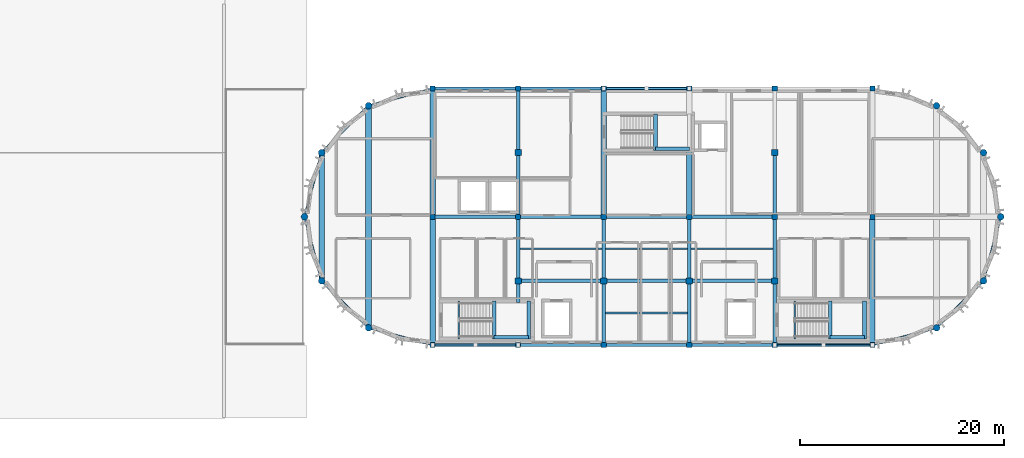
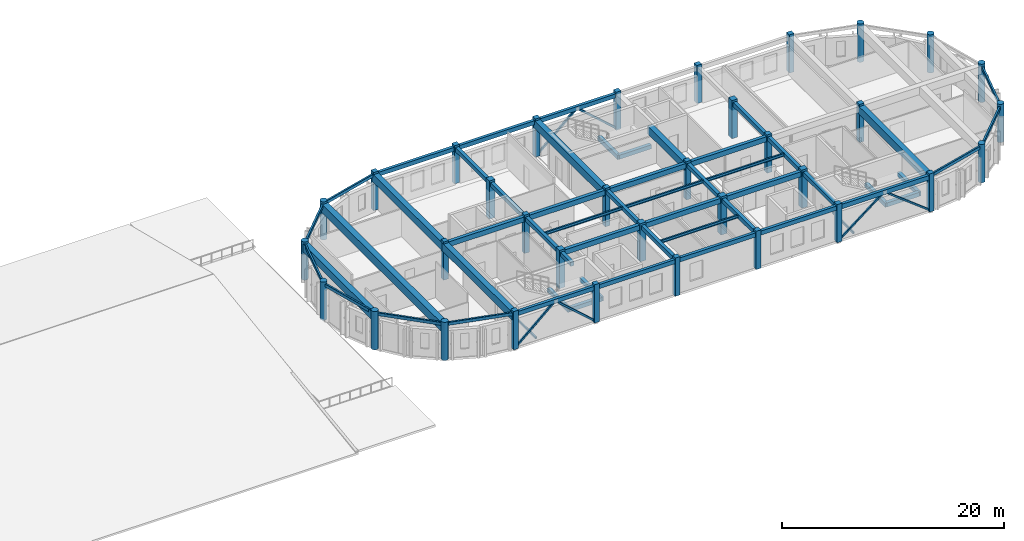
# One storey, part 1 of 12: 54 beams, 34 columns, 8 members.
"""IFC4 building model written with IfcOpenShell, lengths in metres."""

from ifc_helpers import new_model, si_unit, direction, frame, origin, origin_2d, place, context, subcontext, project, spatial, rectangle, hollow_rectangle, circle, i_section, extrude, material, material_profile, profile_set, type_object, element, save


model = new_model("IFC4")

# Units and contexts
model_context = context("Model", 3, precision=1e-05, world=origin(), true_north=direction((0.0, 1.0)))
body_context = subcontext(model_context, "Body", "Model", "MODEL_VIEW")
ifc_project = project(units=[si_unit("LENGTHUNIT", "METRE"), si_unit("AREAUNIT", "SQUARE_METRE"), si_unit("VOLUMEUNIT", "CUBIC_METRE"), si_unit("PLANEANGLEUNIT", "RADIAN"), si_unit("MASSUNIT", "GRAM", prefix="KILO")], contexts=[model_context])

# Site, building, storey
site_placement = place(None, origin())
site = spatial("IfcSite", under=ifc_project, at=site_placement, CompositionType="ELEMENT")
building_placement = place(site_placement, origin())
building = spatial("IfcBuilding", under=site, at=building_placement, Name="Tarnavel Promenade Courthouse", CompositionType="ELEMENT")
storey_placement = place(building_placement, frame((0.0, 0.0, 27.0)))
storey = spatial("IfcBuildingStorey", under=building, at=storey_placement, Name="L07", CompositionType="ELEMENT", Elevation=27.0)

# Columns
ifc_material_1 = material(Name="Concrete C40/50", Category="concrete")
ifc_material_profile_1 = material_profile(ifc_material_1, circle(Radius=0.324951171875, at=origin_2d()), Name="RCC D650")
ifc_profile_set_1 = profile_set([ifc_material_profile_1], Name="Concrete C40/50")
column_type_1 = type_object("IfcColumnType", Name="Concrete C40/50 COL-DRUM-D650 (RCC D650)", PredefinedType="COLUMN", material=ifc_profile_set_1)
for number, where, z_axis, x_axis, name in (
    (1, (52.5, 102.7119140625, 0.0), (0.0, 0.0, 1.0), (1.0, 0.0, 0.0), "L07 Structural Column 0236"),
    (2, (108.300048828125, 80.88818359375, 0.0), (0.0, 0.0, 1.0), (1.0, 0.0, 0.0), "L07 Structural Column 0246"),
    (3, (47.88818359375, 98.10009765625, 0.0), (0.0, 0.0, 1.0), (1.0, 0.0, 0.0), "L07 Structural Column 0256"),
    (4, (112.911865234375, 85.5, 0.0), (0.0, 0.0, 1.0), (1.0, 0.0, 0.0), "L07 Structural Column 0266"),
    (5, (46.199951171875, 91.800048828125, 0.0), (0.0, 0.0, 1.0), (1.0, 0.0, 0.0), "L07 Structural Column 0276"),
    (6, (114.60009765625, 91.800048828125, 0.0), (0.0, 0.0, 1.0), (1.0, 0.0, 0.0), "L07 Structural Column 0286"),
    (7, (47.88818359375, 85.5, 0.0), (0.0, 0.0, 1.0), (1.0, 0.0, 0.0), "L07 Structural Column 0296"),
    (8, (112.911865234375, 98.10009765625, 0.0), (0.0, 0.0, 1.0), (1.0, 0.0, 0.0), "L07 Structural Column 0306"),
    (9, (52.5, 80.88818359375, 0.0), (0.0, 0.0, 1.0), (1.0, 0.0, 0.0), "L07 Structural Column 0316"),
    (10, (108.300048828125, 102.7119140625, 0.0), (0.0, 0.0, 1.0), (1.0, 0.0, 0.0), "L07 Structural Column 0326"),
):
    element("IfcColumn", number, at=place(storey_placement, frame(where, z_axis=z_axis, x_axis=x_axis)), inside=storey, type_object=column_type_1, Name=name, PredefinedType="COLUMN", context=body_context, shape_type="SweptSolid", body=[
        extrude(circle(Radius=0.324951171875, at=origin_2d()), origin(), (0.0, 0.0, 1.0), 4.199951171875),
    ])
ifc_material_profile_2 = material_profile(ifc_material_1, rectangle(XDim=0.5, YDim=0.5, at=origin_2d()), Name="RC 500x500")
ifc_profile_set_2 = profile_set([ifc_material_profile_2], Name="Concrete C40/50")
column_type_2 = type_object("IfcColumnType", Name="Concrete C40/50 COL-RC500-TOP (RC 500x500)", PredefinedType="COLUMN", material=ifc_profile_set_2)
for number, where, z_axis, x_axis, name in (
    (11, (58.800048828125, 79.199951171875, 0.0), (0.0, 0.0, 1.0), (1.0, 0.0, 0.0), "L07 Structural Column 0008"),
    (12, (58.800048828125, 91.800048828125, 0.0), (0.0, 0.0, 1.0), (1.0, 0.0, 0.0), "L07 Structural Column 0018"),
    (13, (58.800048828125, 104.39990234375, 0.0), (0.0, 0.0, 1.0), (1.0, 0.0, 0.0), "L07 Structural Column 0028"),
    (14, (67.199951171875, 79.199951171875, 0.0), (0.0, 0.0, 1.0), (1.0, 0.0, 0.0), "L07 Structural Column 0042"),
    (15, (67.199951171875, 91.800048828125, 0.0), (0.0, 0.0, 1.0), (1.0, 0.0, 0.0), "L07 Structural Column 0052"),
    (16, (67.199951171875, 104.39990234375, 0.0), (0.0, 0.0, 1.0), (1.0, 0.0, 0.0), "L07 Structural Column 0062"),
    (17, (75.60009765625, 79.199951171875, 0.0), (0.0, 0.0, 1.0), (1.0, 0.0, 0.0), "L07 Structural Column 0084"),
    (18, (75.60009765625, 91.800048828125, 0.0), (0.0, 0.0, 1.0), (1.0, 0.0, 0.0), "L07 Structural Column 0094"),
    (19, (75.60009765625, 104.39990234375, 0.0), (0.0, 0.0, 1.0), (1.0, 0.0, 0.0), "L07 Structural Column 0104"),
    (20, (84.0, 79.199951171875, 0.0), (0.0, 0.0, 1.0), (1.0, 0.0, 0.0), "L07 Structural Column 0122"),
    (21, (84.0, 91.800048828125, 0.0), (0.0, 0.0, 1.0), (1.0, 0.0, 0.0), "L07 Structural Column 0132"),
    (22, (84.0, 104.39990234375, 0.0), (0.0, 0.0, 1.0), (1.0, 0.0, 0.0), "L07 Structural Column 0142"),
    (23, (92.39990234375, 79.199951171875, 0.0), (0.0, 0.0, 1.0), (1.0, 0.0, 0.0), "L07 Structural Column 0160"),
    (24, (92.39990234375, 91.800048828125, 0.0), (0.0, 0.0, 1.0), (1.0, 0.0, 0.0), "L07 Structural Column 0170"),
    (25, (92.39990234375, 104.39990234375, 0.0), (0.0, 0.0, 1.0), (1.0, 0.0, 0.0), "L07 Structural Column 0180"),
    (26, (102.0, 79.199951171875, 0.0), (0.0, 0.0, 1.0), (1.0, 0.0, 0.0), "L07 Structural Column 0202"),
    (27, (102.0, 91.800048828125, 0.0), (0.0, 0.0, 1.0), (1.0, 0.0, 0.0), "L07 Structural Column 0212"),
    (28, (102.0, 104.39990234375, 0.0), (0.0, 0.0, 1.0), (1.0, 0.0, 0.0), "L07 Structural Column 0222"),
):
    element("IfcColumn", number, at=place(storey_placement, frame(where, z_axis=z_axis, x_axis=x_axis)), inside=storey, type_object=column_type_2, Name=name, PredefinedType="COLUMN", context=body_context, shape_type="SweptSolid", body=[
        extrude(rectangle(XDim=0.5, YDim=0.5, at=origin_2d()), origin(), (0.0, 0.0, 1.0), 4.199951171875),
    ])
ifc_material_profile_3 = material_profile(ifc_material_1, rectangle(XDim=0.60009765625, YDim=0.60009765625, at=origin_2d()), Name="RC 600x600")
ifc_profile_set_3 = profile_set([ifc_material_profile_3], Name="Concrete C40/50")
column_type_3 = type_object("IfcColumnType", Name="Concrete C40/50 COL-RC600-UPP (RC 600x600)", PredefinedType="COLUMN", material=ifc_profile_set_3)
for number, where, z_axis, x_axis, name in (
    (29, (67.199951171875, 85.5, 0.0), (0.0, 0.0, 1.0), (1.0, 0.0, 0.0), "L07 Structural Column 0066"),
    (30, (67.199951171875, 98.10009765625, 0.0), (0.0, 0.0, 1.0), (1.0, 0.0, 0.0), "L07 Structural Column 0070"),
    (31, (75.60009765625, 85.5, 0.0), (0.0, 0.0, 1.0), (1.0, 0.0, 0.0), "L07 Structural Column 0108"),
    (32, (84.0, 85.5, 0.0), (0.0, 0.0, 1.0), (1.0, 0.0, 0.0), "L07 Structural Column 0146"),
    (33, (92.39990234375, 85.5, 0.0), (0.0, 0.0, 1.0), (1.0, 0.0, 0.0), "L07 Structural Column 0184"),
    (34, (92.39990234375, 98.10009765625, 0.0), (0.0, 0.0, 1.0), (1.0, 0.0, 0.0), "L07 Structural Column 0188"),
):
    element("IfcColumn", number, at=place(storey_placement, frame(where, z_axis=z_axis, x_axis=x_axis)), inside=storey, type_object=column_type_3, Name=name, PredefinedType="COLUMN", context=body_context, shape_type="SweptSolid", body=[
        extrude(rectangle(XDim=0.60009765625, YDim=0.60009765625, at=origin_2d()), origin(), (0.0, 0.0, 1.0), 4.199951171875),
    ])

# Beams
ifc_material_profile_4 = material_profile(ifc_material_1, rectangle(XDim=0.550048828125, YDim=0.85009765625, at=origin_2d()), Name="PT 550x850")
ifc_profile_set_4 = profile_set([ifc_material_profile_4], Name="Concrete C40/50")
beam_type_1 = type_object("IfcBeamType", Name="Concrete C40/50 BM-PT-550x850 (PT 550x850)", PredefinedType="T_BEAM", material=ifc_profile_set_4)
for number, where, z_axis, x_axis, name in (
    (35, (47.88818359375, 85.5, 3.550048828125), (0.0, 1.0, 0.0), (-1.0, 0.0, 0.0), "L07 Transverse Girder 2540"),
    (36, (58.800048828125, 79.199951171875, 3.550048828125), (0.0, 1.0, 0.0), (-1.0, 0.0, 0.0), "L07 Transverse Girder 2542"),
):
    element("IfcBeam", number, at=place(storey_placement, frame(where, z_axis=z_axis, x_axis=x_axis)), inside=storey, type_object=beam_type_1, Name=name, PredefinedType="T_BEAM", context=body_context, shape_type="SweptSolid", body=[
        extrude(rectangle(XDim=0.550048828125, YDim=0.85009765625, at=origin_2d()), origin(), (0.0, 0.0, 1.0), 12.60009765625),
    ])
for number, where, z_axis, x_axis, name in (
    (37, (58.800048828125, 91.800048828125, 3.550048828125), (0.0, 1.0, 0.0), (-1.0, 0.0, 0.0), "L07 Transverse Girder 2543"),
    (38, (75.60009765625, 91.800048828125, 3.550048828125), (0.0, 1.0, 0.0), (-1.0, 0.0, 0.0), "L07 Transverse Girder 2550"),
):
    element("IfcBeam", number, at=place(storey_placement, frame(where, z_axis=z_axis, x_axis=x_axis)), inside=storey, type_object=beam_type_1, Name=name, PredefinedType="T_BEAM", context=body_context, shape_type="SweptSolid", body=[
        extrude(rectangle(XDim=0.550048828125, YDim=0.85009765625, at=origin_2d()), origin(), (0.0, 0.0, 1.0), 12.599853515625),
    ])
beam_1_placement = place(storey_placement, frame((84.0, 91.800048828125, 3.550048828125), z_axis=(0.0, 1.0, 0.0), x_axis=(-1.0, 0.0, 0.0)))
element("IfcBeam", 39, at=beam_1_placement, inside=storey, type_object=beam_type_1, Name="L07 Transverse Girder 2553", PredefinedType="T_BEAM", context=body_context, shape_type="SweptSolid", body=[
    extrude(rectangle(XDim=0.550048828125, YDim=0.85009765625, at=origin_2d()), origin(), (0.0, 0.0, 1.0), 6.64990234375),
])
beam_2_placement = place(storey_placement, frame((102.0, 79.199951171875, 3.550048828125), z_axis=(0.0, 1.0, 0.0), x_axis=(-1.0, 0.0, 0.0)))
element("IfcBeam", 40, at=beam_2_placement, inside=storey, type_object=beam_type_1, Name="L07 Transverse Girder 2559", PredefinedType="T_BEAM", context=body_context, shape_type="SweptSolid", body=[
    extrude(rectangle(XDim=0.550048828125, YDim=0.85009765625, at=origin_2d()), origin(), (0.0, 0.0, 1.0), 12.60009765625),
])
ifc_material_profile_5 = material_profile(ifc_material_1, rectangle(XDim=0.60009765625, YDim=0.949951171875, at=origin_2d()), Name="PT 600x950")
ifc_profile_set_5 = profile_set([ifc_material_profile_5], Name="Concrete C40/50")
beam_type_2 = type_object("IfcBeamType", Name="Concrete C40/50 BM-PT-600x950 (PT 600x950)", PredefinedType="T_BEAM", material=ifc_profile_set_5)
beam_3_placement = place(storey_placement, frame((52.5, 80.88818359375, 3.5), z_axis=(0.0, 1.0, 0.0), x_axis=(-1.0, 0.0, 0.0)))
element("IfcBeam", 41, at=beam_3_placement, inside=storey, type_object=beam_type_2, Name="L07 Transverse Girder 2541", PredefinedType="T_BEAM", context=body_context, shape_type="SweptSolid", body=[
    extrude(rectangle(XDim=0.60009765625, YDim=0.949951171875, at=origin_2d()), origin(), (0.0, 0.0, 1.0), 21.82373046875),
])
ifc_material_profile_6 = material_profile(ifc_material_1, rectangle(XDim=0.35009765625, YDim=0.449951171875, at=origin_2d()), Name="RC 350x450")
ifc_profile_set_6 = profile_set([ifc_material_profile_6], Name="Concrete C40/50")
beam_type_3 = type_object("IfcBeamType", Name="Concrete C40/50 BM-RC-350x450 (RC 350x450)", PredefinedType="BEAM", material=ifc_profile_set_6)
beam_4_placement = place(storey_placement, frame((67.199951171875, 83.3701171875, 3.75), z_axis=(0.0, 1.0, 0.0), x_axis=(-1.0, 0.0, 0.0)))
element("IfcBeam", 42, at=beam_4_placement, inside=storey, type_object=beam_type_3, Name="L07 Transverse Girder 2544", PredefinedType="BEAM", context=body_context, shape_type="SweptSolid", body=[
    extrude(rectangle(XDim=0.35009765625, YDim=0.449951171875, at=origin_2d()), origin(), (0.0, 0.0, 1.0), 2.1298828125),
])
for number, where, z_axis, x_axis, name in (
    (43, (67.199951171875, 85.5, 3.75), (0.0, 1.0, 0.0), (-1.0, 0.0, 0.0), "L07 Transverse Girder 2545"),
    (44, (67.199951171875, 91.800048828125, 3.75), (0.0, 1.0, 0.0), (-1.0, 0.0, 0.0), "L07 Transverse Girder 2546"),
):
    element("IfcBeam", number, at=place(storey_placement, frame(where, z_axis=z_axis, x_axis=x_axis)), inside=storey, type_object=beam_type_3, Name=name, PredefinedType="BEAM", context=body_context, shape_type="SweptSolid", body=[
        extrude(rectangle(XDim=0.35009765625, YDim=0.449951171875, at=origin_2d()), origin(), (0.0, 0.0, 1.0), 6.300048828125),
    ])
beam_5_placement = place(storey_placement, frame((67.199951171875, 98.10009765625, 3.75), z_axis=(0.0, 1.0, 0.0), x_axis=(-1.0, 0.0, 0.0)))
element("IfcBeam", 45, at=beam_5_placement, inside=storey, type_object=beam_type_3, Name="L07 Transverse Girder 2547", PredefinedType="BEAM", context=body_context, shape_type="SweptSolid", body=[
    extrude(rectangle(XDim=0.35009765625, YDim=0.449951171875, at=origin_2d()), origin(), (0.0, 0.0, 1.0), 6.2998046875),
])
for number, where, z_axis, x_axis, name in (
    (46, (75.60009765625, 79.199951171875, 3.75), (0.0, 1.0, 0.0), (-1.0, 0.0, 0.0), "L07 Transverse Girder 2548"),
    (47, (75.60009765625, 85.5, 3.75), (0.0, 1.0, 0.0), (-1.0, 0.0, 0.0), "L07 Transverse Girder 2549"),
    (48, (84.0, 79.199951171875, 3.75), (0.0, 1.0, 0.0), (-1.0, 0.0, 0.0), "L07 Transverse Girder 2551"),
    (49, (84.0, 85.5, 3.75), (0.0, 1.0, 0.0), (-1.0, 0.0, 0.0), "L07 Transverse Girder 2552"),
    (50, (92.39990234375, 79.199951171875, 3.75), (0.0, 1.0, 0.0), (-1.0, 0.0, 0.0), "L07 Transverse Girder 2555"),
    (51, (92.39990234375, 85.5, 3.75), (0.0, 1.0, 0.0), (-1.0, 0.0, 0.0), "L07 Transverse Girder 2556"),
    (52, (92.39990234375, 91.800048828125, 3.75), (0.0, 1.0, 0.0), (-1.0, 0.0, 0.0), "L07 Transverse Girder 2557"),
):
    element("IfcBeam", number, at=place(storey_placement, frame(where, z_axis=z_axis, x_axis=x_axis)), inside=storey, type_object=beam_type_3, Name=name, PredefinedType="BEAM", context=body_context, shape_type="SweptSolid", body=[
        extrude(rectangle(XDim=0.35009765625, YDim=0.449951171875, at=origin_2d()), origin(), (0.0, 0.0, 1.0), 6.300048828125),
    ])
for number, where, z_axis, x_axis, name in (
    (53, (64.840087890625, 79.800048828125, 1.669921875), (0.0, 1.0, 0.0), (-1.0, 0.0, 0.0), "L07 ST-01 Mid-Landing Support Beam Near"),
    (54, (68.219970703125, 79.800048828125, 1.669921875), (0.0, 1.0, 0.0), (-1.0, 0.0, 0.0), "L07 ST-01 Mid-Landing Support Beam Far"),
):
    element("IfcBeam", number, at=place(storey_placement, frame(where, z_axis=z_axis, x_axis=x_axis)), inside=storey, type_object=beam_type_3, Name=name, PredefinedType="BEAM", context=body_context, shape_type="SweptSolid", body=[
        extrude(rectangle(XDim=0.35009765625, YDim=0.449951171875, at=origin_2d()), origin(), (0.0, 0.0, 1.0), 3.719970703125),
    ])
beam_6_placement = place(storey_placement, frame((64.840087890625, 79.949951171875, 1.669921875), z_axis=(1.0, 0.0, 0.0), x_axis=(0.0, 1.0, 0.0)))
element("IfcBeam", 55, at=beam_6_placement, inside=storey, type_object=beam_type_3, Name="L07 ST-01 Mid-Landing Edge Trimmer", PredefinedType="BEAM", context=body_context, shape_type="SweptSolid", body=[
    extrude(rectangle(XDim=0.35009765625, YDim=0.449951171875, at=origin_2d()), origin(), (0.0, 0.0, 1.0), 3.3798828125),
])
for number, where, z_axis, x_axis, name in (
    (56, (97.840087890625, 79.800048828125, 1.669921875), (0.0, 1.0, 0.0), (-1.0, 0.0, 0.0), "L07 ST-02 Mid-Landing Support Beam Near"),
    (57, (101.219970703125, 79.800048828125, 1.669921875), (0.0, 1.0, 0.0), (-1.0, 0.0, 0.0), "L07 ST-02 Mid-Landing Support Beam Far"),
):
    element("IfcBeam", number, at=place(storey_placement, frame(where, z_axis=z_axis, x_axis=x_axis)), inside=storey, type_object=beam_type_3, Name=name, PredefinedType="BEAM", context=body_context, shape_type="SweptSolid", body=[
        extrude(rectangle(XDim=0.35009765625, YDim=0.449951171875, at=origin_2d()), origin(), (0.0, 0.0, 1.0), 3.719970703125),
    ])
beam_7_placement = place(storey_placement, frame((97.840087890625, 79.949951171875, 1.669921875), z_axis=(1.0, 0.0, 0.0), x_axis=(0.0, 1.0, 0.0)))
element("IfcBeam", 58, at=beam_7_placement, inside=storey, type_object=beam_type_3, Name="L07 ST-02 Mid-Landing Edge Trimmer", PredefinedType="BEAM", context=body_context, shape_type="SweptSolid", body=[
    extrude(rectangle(XDim=0.35009765625, YDim=0.449951171875, at=origin_2d()), origin(), (0.0, 0.0, 1.0), 3.3798828125),
])
beam_8_placement = place(storey_placement, frame((80.68994140625, 98.320068359375, 1.669921875), z_axis=(0.0, 1.0, 0.0), x_axis=(-1.0, 0.0, 0.0)))
element("IfcBeam", 59, at=beam_8_placement, inside=storey, type_object=beam_type_3, Name="L07 ST-03 Mid-Landing Support Beam Near", PredefinedType="BEAM", context=body_context, shape_type="SweptSolid", body=[
    extrude(rectangle(XDim=0.35009765625, YDim=0.449951171875, at=origin_2d()), origin(), (0.0, 0.0, 1.0), 3.599853515625),
])
beam_9_placement = place(storey_placement, frame((80.68994140625, 98.469970703125, 1.669921875), z_axis=(1.0, 0.0, 0.0), x_axis=(0.0, 1.0, 0.0)))
element("IfcBeam", 60, at=beam_9_placement, inside=storey, type_object=beam_type_3, Name="L07 ST-03 Mid-Landing Edge Trimmer", PredefinedType="BEAM", context=body_context, shape_type="SweptSolid", body=[
    extrude(rectangle(XDim=0.35009765625, YDim=0.449951171875, at=origin_2d()), origin(), (0.0, 0.0, 1.0), 3.330078125),
])
ifc_material_profile_7 = material_profile(ifc_material_1, rectangle(XDim=0.35009765625, YDim=0.550048828125, at=origin_2d()), Name="RC 350x550")
ifc_profile_set_7 = profile_set([ifc_material_profile_7], Name="Concrete C40/50")
beam_type_4 = type_object("IfcBeamType", Name="Concrete C40/50 BM-RC-350x550 (RC 350x550)", PredefinedType="BEAM", material=ifc_profile_set_7)
beam_10_placement = place(storey_placement, frame((67.199951171875, 85.5, 3.699951171875), z_axis=(1.0, 0.0, 0.0), x_axis=(0.0, 1.0, 0.0)))
element("IfcBeam", 61, at=beam_10_placement, inside=storey, type_object=beam_type_4, Name="L07 Primary Longitudinal Beam 2526", PredefinedType="BEAM", context=body_context, shape_type="SweptSolid", body=[
    extrude(rectangle(XDim=0.35009765625, YDim=0.550048828125, at=origin_2d()), origin(), (0.0, 0.0, 1.0), 8.400146484375),
])
for number, where, z_axis, x_axis, name in (
    (62, (75.60009765625, 85.5, 3.699951171875), (1.0, 0.0, 0.0), (0.0, 1.0, 0.0), "L07 Primary Longitudinal Beam 2527"),
    (63, (84.0, 85.5, 3.699951171875), (1.0, 0.0, 0.0), (0.0, 1.0, 0.0), "L07 Primary Longitudinal Beam 2528"),
    (64, (58.800048828125, 91.800048828125, 3.699951171875), (1.0, 0.0, 0.0), (0.0, 1.0, 0.0), "L07 Primary Longitudinal Beam 2529"),
):
    element("IfcBeam", number, at=place(storey_placement, frame(where, z_axis=z_axis, x_axis=x_axis)), inside=storey, type_object=beam_type_4, Name=name, PredefinedType="BEAM", context=body_context, shape_type="SweptSolid", body=[
        extrude(rectangle(XDim=0.35009765625, YDim=0.550048828125, at=origin_2d()), origin(), (0.0, 0.0, 1.0), 8.39990234375),
    ])
beam_11_placement = place(storey_placement, frame((67.199951171875, 91.800048828125, 3.699951171875), z_axis=(1.0, 0.0, 0.0), x_axis=(0.0, 1.0, 0.0)))
element("IfcBeam", 65, at=beam_11_placement, inside=storey, type_object=beam_type_4, Name="L07 Primary Longitudinal Beam 2530", PredefinedType="BEAM", context=body_context, shape_type="SweptSolid", body=[
    extrude(rectangle(XDim=0.35009765625, YDim=0.550048828125, at=origin_2d()), origin(), (0.0, 0.0, 1.0), 8.400146484375),
])
for number, where, z_axis, x_axis, name in (
    (66, (75.60009765625, 91.800048828125, 3.699951171875), (1.0, 0.0, 0.0), (0.0, 1.0, 0.0), "L07 Primary Longitudinal Beam 2531"),
    (67, (84.0, 91.800048828125, 3.699951171875), (1.0, 0.0, 0.0), (0.0, 1.0, 0.0), "L07 Primary Longitudinal Beam 2532"),
):
    element("IfcBeam", number, at=place(storey_placement, frame(where, z_axis=z_axis, x_axis=x_axis)), inside=storey, type_object=beam_type_4, Name=name, PredefinedType="BEAM", context=body_context, shape_type="SweptSolid", body=[
        extrude(rectangle(XDim=0.35009765625, YDim=0.550048828125, at=origin_2d()), origin(), (0.0, 0.0, 1.0), 8.39990234375),
    ])
ifc_material_profile_8 = material_profile(ifc_material_1, rectangle(XDim=0.300048828125, YDim=0.449951171875, at=origin_2d()), Name="RC 300x450")
ifc_profile_set_8 = profile_set([ifc_material_profile_8], Name="Concrete C40/50")
beam_type_5 = type_object("IfcBeamType", Name="Concrete C40/50 BM-SP-300x450 (RC 300x450)", PredefinedType="SPANDREL", material=ifc_profile_set_8)
beam_12_placement = place(storey_placement, frame((58.800048828125, 79.199951171875, 3.75), z_axis=(1.0, 0.0, 0.0), x_axis=(0.0, 1.0, 0.0)))
element("IfcBeam", 68, at=beam_12_placement, inside=storey, type_object=beam_type_5, Name="L07 Primary Longitudinal Beam 2521", PredefinedType="SPANDREL", context=body_context, shape_type="SweptSolid", body=[
    extrude(rectangle(XDim=0.300048828125, YDim=0.449951171875, at=origin_2d()), origin(), (0.0, 0.0, 1.0), 8.39990234375),
])
beam_13_placement = place(storey_placement, frame((67.199951171875, 79.199951171875, 3.75), z_axis=(1.0, 0.0, 0.0), x_axis=(0.0, 1.0, 0.0)))
element("IfcBeam", 69, at=beam_13_placement, inside=storey, type_object=beam_type_5, Name="L07 Primary Longitudinal Beam 2522", PredefinedType="SPANDREL", context=body_context, shape_type="SweptSolid", body=[
    extrude(rectangle(XDim=0.300048828125, YDim=0.449951171875, at=origin_2d()), origin(), (0.0, 0.0, 1.0), 8.400146484375),
])
for number, where, z_axis, x_axis, name in (
    (70, (75.60009765625, 79.199951171875, 3.75), (1.0, 0.0, 0.0), (0.0, 1.0, 0.0), "L07 Primary Longitudinal Beam 2523"),
    (71, (84.0, 79.199951171875, 3.75), (1.0, 0.0, 0.0), (0.0, 1.0, 0.0), "L07 Primary Longitudinal Beam 2524"),
    (72, (58.800048828125, 104.39990234375, 3.75), (1.0, 0.0, 0.0), (0.0, 1.0, 0.0), "L07 Primary Longitudinal Beam 2535"),
):
    element("IfcBeam", number, at=place(storey_placement, frame(where, z_axis=z_axis, x_axis=x_axis)), inside=storey, type_object=beam_type_5, Name=name, PredefinedType="SPANDREL", context=body_context, shape_type="SweptSolid", body=[
        extrude(rectangle(XDim=0.300048828125, YDim=0.449951171875, at=origin_2d()), origin(), (0.0, 0.0, 1.0), 8.39990234375),
    ])
beam_14_placement = place(storey_placement, frame((67.199951171875, 104.39990234375, 3.75), z_axis=(1.0, 0.0, 0.0), x_axis=(0.0, 1.0, 0.0)))
element("IfcBeam", 73, at=beam_14_placement, inside=storey, type_object=beam_type_5, Name="L07 Primary Longitudinal Beam 2536", PredefinedType="SPANDREL", context=body_context, shape_type="SweptSolid", body=[
    extrude(rectangle(XDim=0.300048828125, YDim=0.449951171875, at=origin_2d()), origin(), (0.0, 0.0, 1.0), 8.400146484375),
])
beam_15_placement = place(storey_placement, frame((75.60009765625, 104.39990234375, 3.75), z_axis=(1.0, 0.0, 0.0), x_axis=(0.0, 1.0, 0.0)))
element("IfcBeam", 74, at=beam_15_placement, inside=storey, type_object=beam_type_5, Name="L07 Primary Longitudinal Beam 2537", PredefinedType="SPANDREL", context=body_context, shape_type="SweptSolid", body=[
    extrude(rectangle(XDim=0.300048828125, YDim=0.449951171875, at=origin_2d()), origin(), (0.0, 0.0, 1.0), 8.39990234375),
])
ifc_material_profile_9 = material_profile(ifc_material_1, rectangle(XDim=0.300048828125, YDim=0.5, at=origin_2d()), Name="RC 300x500")
ifc_profile_set_9 = profile_set([ifc_material_profile_9], Name="Concrete C40/50")
beam_type_6 = type_object("IfcBeamType", Name="Concrete C40/50 BM-SP-300x500 (RC 300x500)", PredefinedType="SPANDREL", material=ifc_profile_set_9)
beam_16_placement = place(storey_placement, frame((92.39990234375, 79.199951171875, 3.72509765625), z_axis=(1.0, 0.0, 0.0), x_axis=(0.0, 1.0, 0.0)))
element("IfcBeam", 75, at=beam_16_placement, inside=storey, type_object=beam_type_6, Name="L07 Primary Longitudinal Beam 2525", PredefinedType="SPANDREL", context=body_context, shape_type="SweptSolid", body=[
    extrude(rectangle(XDim=0.300048828125, YDim=0.5, at=origin_2d()), origin(), (0.0, 0.0, 1.0), 9.60009765625),
])
ifc_material_2 = material(Name="Steel S355J2", Category="steel")
ifc_material_profile_10 = material_profile(ifc_material_2, i_section(OverallWidth=0.159912109375, OverallDepth=0.330078125, WebThickness=0.007568359375, FlangeThickness=0.011474609375, FilletRadius=0.01806640625, at=origin_2d()), Name="IPE 330")
ifc_profile_set_10 = profile_set([ifc_material_profile_10], Name="Steel S355J2")
beam_type_7 = type_object("IfcBeamType", Name="Steel S355J2 BM-ST-IPE330 (IPE 330)", PredefinedType="JOIST", material=ifc_profile_set_10)
beam_17_placement = place(storey_placement, frame((67.344970703125, 88.64990234375, 3.81005859375), z_axis=(1.0, 0.0, 0.0), x_axis=(0.0, 1.0, 0.0)))
element("IfcBeam", 76, at=beam_17_placement, inside=storey, type_object=beam_type_7, Name="L07 Secondary Floor Rib 2563", PredefinedType="JOIST", context=body_context, shape_type="SweptSolid", body=[
    extrude(i_section(OverallWidth=0.159912109375, OverallDepth=0.330078125, WebThickness=0.007568359375, FlangeThickness=0.011474609375, FilletRadius=0.01806640625, at=origin_2d()), origin(), (0.0, 0.0, 1.0), 8.110107421875),
])
for number, where, z_axis, x_axis, name in (
    (77, (75.7451171875, 88.64990234375, 3.81005859375), (1.0, 0.0, 0.0), (0.0, 1.0, 0.0), "L07 Secondary Floor Rib 2564"),
    (78, (84.14501953125, 88.64990234375, 3.81005859375), (1.0, 0.0, 0.0), (0.0, 1.0, 0.0), "L07 Secondary Floor Rib 2565"),
    (79, (75.7451171875, 82.35009765625, 3.81005859375), (1.0, 0.0, 0.0), (0.0, 1.0, 0.0), "L07 Secondary Floor Rib 2566"),
):
    element("IfcBeam", number, at=place(storey_placement, frame(where, z_axis=z_axis, x_axis=x_axis)), inside=storey, type_object=beam_type_7, Name=name, PredefinedType="JOIST", context=body_context, shape_type="SweptSolid", body=[
        extrude(i_section(OverallWidth=0.159912109375, OverallDepth=0.330078125, WebThickness=0.007568359375, FlangeThickness=0.011474609375, FilletRadius=0.01806640625, at=origin_2d()), origin(), (0.0, 0.0, 1.0), 8.10986328125),
    ])
ifc_material_profile_11 = material_profile(ifc_material_2, hollow_rectangle(XDim=0.199951171875, YDim=0.35009765625, WallThickness=0.012451171875, InnerFilletRadius=0.012451171875, OuterFilletRadius=0.02490234375, at=origin_2d()), Name="RHS 350x200x12.5")
ifc_profile_set_11 = profile_set([ifc_material_profile_11], Name="Steel S355J2")
beam_type_8 = type_object("IfcBeamType", Name="Steel S355J2 BM-ST-RHS350 (RHS 350x200x12.5)", PredefinedType="SPANDREL", material=ifc_profile_set_11)
beam_18_placement = place(storey_placement, frame((58.800048828125, 104.39990234375, 3.800048828125), z_axis=(-0.965929839907, -0.258804065612, 0.0), x_axis=(0.258804065612, -0.965929839907, 0.0)))
element("IfcBeam", 80, at=beam_18_placement, inside=storey, type_object=beam_type_8, Name="L07 Drum Ring Spandrel 2567", PredefinedType="SPANDREL", context=body_context, shape_type="SweptSolid", body=[
    extrude(hollow_rectangle(XDim=0.199951171875, YDim=0.35009765625, WallThickness=0.012451171875, InnerFilletRadius=0.012451171875, OuterFilletRadius=0.02490234375, at=origin_2d()), origin(), (0.0, 0.0, 1.0), 6.522216796875),
])
beam_19_placement = place(storey_placement, frame((52.5, 102.7119140625, 3.800048828125), z_axis=(-0.707106781187, -0.707106781187, 0.0), x_axis=(0.707106781187, -0.707106781187, 0.0)))
element("IfcBeam", 81, at=beam_19_placement, inside=storey, type_object=beam_type_8, Name="L07 Drum Ring Spandrel 2568", PredefinedType="SPANDREL", context=body_context, shape_type="SweptSolid", body=[
    extrude(hollow_rectangle(XDim=0.199951171875, YDim=0.35009765625, WallThickness=0.012451171875, InnerFilletRadius=0.012451171875, OuterFilletRadius=0.02490234375, at=origin_2d()), origin(), (0.0, 0.0, 1.0), 6.52197265625),
])
for number, where, z_axis, x_axis, name in (
    (82, (47.88818359375, 98.10009765625, 3.800048828125), (-0.258838989821, -0.965920481897, 0.0), (0.965920481897, -0.258838989821, 0.0), "L07 Drum Ring Spandrel 2569"),
    (83, (46.199951171875, 91.800048828125, 3.800048828125), (0.258838989821, -0.965920481897, 0.0), (0.965920481897, 0.258838989821, 0.0), "L07 Drum Ring Spandrel 2570"),
):
    element("IfcBeam", number, at=place(storey_placement, frame(where, z_axis=z_axis, x_axis=x_axis)), inside=storey, type_object=beam_type_8, Name=name, PredefinedType="SPANDREL", context=body_context, shape_type="SweptSolid", body=[
        extrude(hollow_rectangle(XDim=0.199951171875, YDim=0.35009765625, WallThickness=0.012451171875, InnerFilletRadius=0.012451171875, OuterFilletRadius=0.02490234375, at=origin_2d()), origin(), (0.0, 0.0, 1.0), 6.522216796875),
    ])
beam_20_placement = place(storey_placement, frame((47.88818359375, 85.5, 3.800048828125), z_axis=(0.707106781187, -0.707106781187, 0.0), x_axis=(0.707106781187, 0.707106781187, 0.0)))
element("IfcBeam", 84, at=beam_20_placement, inside=storey, type_object=beam_type_8, Name="L07 Drum Ring Spandrel 2571", PredefinedType="SPANDREL", context=body_context, shape_type="SweptSolid", body=[
    extrude(hollow_rectangle(XDim=0.199951171875, YDim=0.35009765625, WallThickness=0.012451171875, InnerFilletRadius=0.012451171875, OuterFilletRadius=0.02490234375, at=origin_2d()), origin(), (0.0, 0.0, 1.0), 6.52197265625),
])
for number, where, z_axis, x_axis, name in (
    (85, (52.5, 80.88818359375, 3.800048828125), (0.965920481897, -0.258838989821, 0.0), (0.258838989821, 0.965920481897, 0.0), "L07 Drum Ring Spandrel 2572"),
    (86, (102.0, 79.199951171875, 3.800048828125), (0.965920481897, 0.258838989821, 0.0), (-0.258838989821, 0.965920481897, 0.0), "L07 Drum Ring Spandrel 2573"),
):
    element("IfcBeam", number, at=place(storey_placement, frame(where, z_axis=z_axis, x_axis=x_axis)), inside=storey, type_object=beam_type_8, Name=name, PredefinedType="SPANDREL", context=body_context, shape_type="SweptSolid", body=[
        extrude(hollow_rectangle(XDim=0.199951171875, YDim=0.35009765625, WallThickness=0.012451171875, InnerFilletRadius=0.012451171875, OuterFilletRadius=0.02490234375, at=origin_2d()), origin(), (0.0, 0.0, 1.0), 6.522216796875),
    ])
beam_21_placement = place(storey_placement, frame((108.300048828125, 80.88818359375, 3.800048828125), z_axis=(0.707106781187, 0.707106781187, 0.0), x_axis=(-0.707106781187, 0.707106781187, 0.0)))
element("IfcBeam", 87, at=beam_21_placement, inside=storey, type_object=beam_type_8, Name="L07 Drum Ring Spandrel 2574", PredefinedType="SPANDREL", context=body_context, shape_type="SweptSolid", body=[
    extrude(hollow_rectangle(XDim=0.199951171875, YDim=0.35009765625, WallThickness=0.012451171875, InnerFilletRadius=0.012451171875, OuterFilletRadius=0.02490234375, at=origin_2d()), origin(), (0.0, 0.0, 1.0), 6.52197265625),
])
beam_22_placement = place(storey_placement, frame((112.911865234375, 85.5, 3.800048828125), z_axis=(0.258838989821, 0.965920481897, 0.0), x_axis=(-0.965920481897, 0.258838989821, 0.0)))
element("IfcBeam", 88, at=beam_22_placement, inside=storey, type_object=beam_type_8, Name="L07 Drum Ring Spandrel 2575", PredefinedType="SPANDREL", context=body_context, shape_type="SweptSolid", body=[
    extrude(hollow_rectangle(XDim=0.199951171875, YDim=0.35009765625, WallThickness=0.012451171875, InnerFilletRadius=0.012451171875, OuterFilletRadius=0.02490234375, at=origin_2d()), origin(), (0.0, 0.0, 1.0), 6.522216796875),
])

# Members
ifc_material_profile_12 = material_profile(ifc_material_2, hollow_rectangle(XDim=0.179931640625, YDim=0.179931640625, WallThickness=0.010009765625, InnerFilletRadius=0.010009765625, OuterFilletRadius=0.02001953125, at=origin_2d()), Name="SHS 180x180x10")
ifc_profile_set_12 = profile_set([ifc_material_profile_12], Name="Steel S355J2")
member_type_1 = type_object("IfcMemberType", Name="Steel S355J2 MEM-BR-SHS180 (SHS 180x180x10)", PredefinedType="BRACE", material=ifc_profile_set_12)
for number, where, z_axis, x_axis, name in (
    (89, (92.39990234375, 79.199951171875, 0.0), (0.790011667924, 0.0, 0.613091807598), (0.0, 1.0, 0.0), "L07 V5 Chevron Brace A 018"),
    (90, (102.0, 79.199951171875, 0.0), (-0.790011667924, 0.0, 0.613091807598), (0.0, -1.0, 0.0), "L07 V5 Chevron Brace B 018"),
):
    element("IfcMember", number, at=place(storey_placement, frame(where, z_axis=z_axis, x_axis=x_axis)), inside=storey, type_object=member_type_1, Name=name, PredefinedType="BRACE", context=body_context, shape_type="SweptSolid", body=[
        extrude(hollow_rectangle(XDim=0.179931640625, YDim=0.179931640625, WallThickness=0.010009765625, InnerFilletRadius=0.010009765625, OuterFilletRadius=0.02001953125, at=origin_2d()), origin(), (0.0, 0.0, 1.0), 6.075927734375),
    ])
ifc_material_profile_13 = material_profile(ifc_material_2, hollow_rectangle(XDim=0.199951171875, YDim=0.199951171875, WallThickness=0.012451171875, InnerFilletRadius=0.012451171875, OuterFilletRadius=0.02490234375, at=origin_2d()), Name="SHS 200x200x12.5")
ifc_profile_set_13 = profile_set([ifc_material_profile_13], Name="Steel S355J2")
member_type_2 = type_object("IfcMemberType", Name="Steel S355J2 MEM-BR-SHS200 (SHS 200x200x12.5)", PredefinedType="BRACE", material=ifc_profile_set_13)
for number, where, z_axis, x_axis, name in (
    (91, (58.800048828125, 79.199951171875, 0.0), (0.748133483308, 0.0, 0.663548258345), (0.0, 1.0, 0.0), "L07 V5 Chevron Brace A 008"),
    (92, (67.199951171875, 79.199951171875, 0.0), (-0.748133483308, 0.0, 0.663548258345), (0.0, -1.0, 0.0), "L07 V5 Chevron Brace B 008"),
    (93, (75.60009765625, 104.39990234375, 0.0), (0.748133483308, 0.0, 0.663548258345), (0.0, 1.0, 0.0), "L07 V5 Chevron Brace A 025"),
    (94, (84.0, 104.39990234375, 0.0), (-0.748133483308, 0.0, 0.663548258345), (0.0, -1.0, 0.0), "L07 V5 Chevron Brace B 025"),
):
    element("IfcMember", number, at=place(storey_placement, frame(where, z_axis=z_axis, x_axis=x_axis)), inside=storey, type_object=member_type_2, Name=name, PredefinedType="BRACE", context=body_context, shape_type="SweptSolid", body=[
        extrude(hollow_rectangle(XDim=0.199951171875, YDim=0.199951171875, WallThickness=0.012451171875, InnerFilletRadius=0.012451171875, OuterFilletRadius=0.02490234375, at=origin_2d()), origin(), (0.0, 0.0, 1.0), 5.614013671875),
    ])
ifc_material_profile_14 = material_profile(ifc_material_2, hollow_rectangle(XDim=0.14990234375, YDim=0.25, WallThickness=0.010009765625, InnerFilletRadius=0.010009765625, OuterFilletRadius=0.02001953125, at=origin_2d()), Name="RHS 250x150x10")
ifc_profile_set_14 = profile_set([ifc_material_profile_14], Name="Steel S355J2")
member_type_3 = type_object("IfcMemberType", Name="Steel S355J2 Stair Stringer MEM-STR-250 (RHS 250x150x10)", PredefinedType="STRINGER", material=ifc_profile_set_14)
for number, where, z_axis, x_axis, name in (
    (95, (61.360107421875, 79.800048828125, -0.179931640625), (0.0, 1.0, 0.0), (-1.0, 0.0, 0.0), "L07 ST-01 Stair Header Stringer"),
    (96, (94.360107421875, 79.800048828125, -0.179931640625), (0.0, 1.0, 0.0), (-1.0, 0.0, 0.0), "L07 ST-02 Stair Header Stringer"),
):
    element("IfcMember", number, at=place(storey_placement, frame(where, z_axis=z_axis, x_axis=x_axis)), inside=storey, type_object=member_type_3, Name=name, PredefinedType="STRINGER", context=body_context, shape_type="SweptSolid", body=[
        extrude(hollow_rectangle(XDim=0.14990234375, YDim=0.25, WallThickness=0.010009765625, InnerFilletRadius=0.010009765625, OuterFilletRadius=0.02001953125, at=origin_2d()), origin(), (0.0, 0.0, 1.0), 3.719970703125),
    ])

save(model, "model.ifc")
